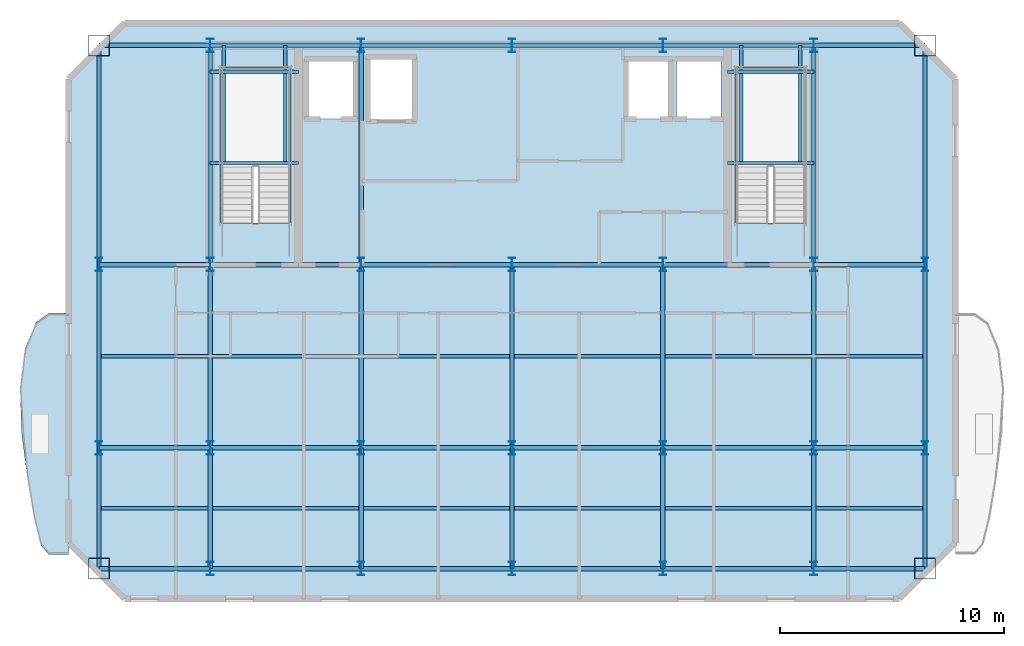
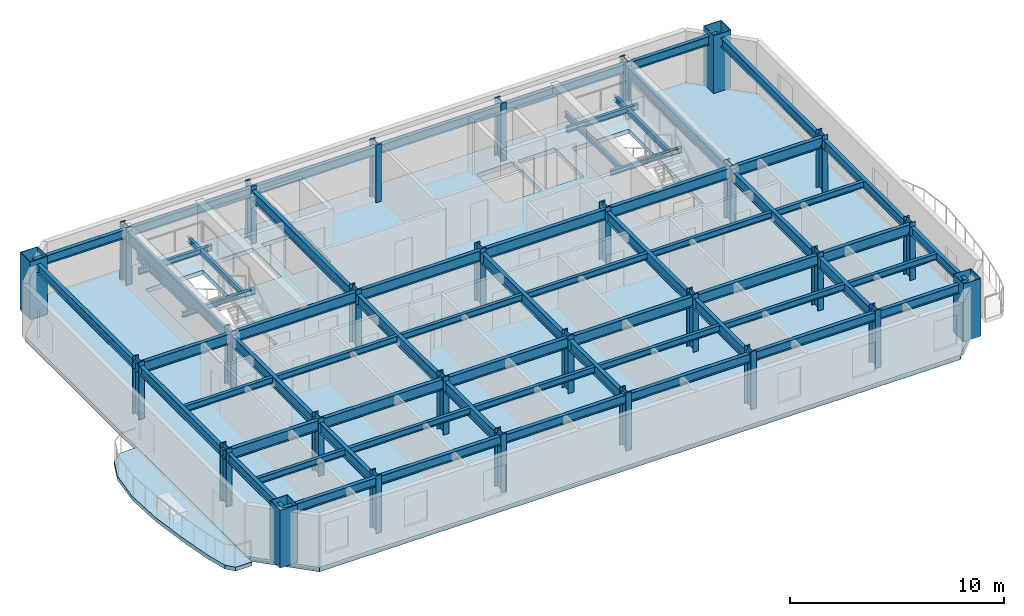
# One storey, part 1 of 6: 63 beams, 28 columns, 2 slabs.
"""IFC4 building model written with IfcOpenShell, lengths in metres."""

from ifc_helpers import new_model, si_unit, direction, frame, origin, origin_2d, place, context, subcontext, project, spatial, polyline, hollow_rectangle, i_section, outline, extrude, material, layer, layer_set, material_profile, profile_set, type_object, element, save


model = new_model("IFC4")

# Units and contexts
model_context = context("Model", 3, precision=1e-05, world=origin(), true_north=direction((0.0, 1.0)))
body_context = subcontext(model_context, "Body", "Model", "MODEL_VIEW")
ifc_project = project(units=[si_unit("LENGTHUNIT", "METRE"), si_unit("AREAUNIT", "SQUARE_METRE"), si_unit("VOLUMEUNIT", "CUBIC_METRE"), si_unit("PLANEANGLEUNIT", "RADIAN"), si_unit("MASSUNIT", "GRAM", prefix="KILO")], contexts=[model_context])

# Site, building, storey
site_placement = place(None, origin())
site = spatial("IfcSite", under=ifc_project, at=site_placement, CompositionType="ELEMENT")
building_placement = place(site_placement, origin())
building = spatial("IfcBuilding", under=site, at=building_placement, Name="Haevon Station Towers", CompositionType="ELEMENT")
storey_placement = place(building_placement, frame((0.0, 0.0, 246.0)))
storey = spatial("IfcBuildingStorey", under=building, at=storey_placement, Name="L68", CompositionType="ELEMENT", Elevation=246.0)

# Columns
ifc_material_1 = material(Name="Steel S460", Category="steel")
ifc_material_profile_1 = material_profile(ifc_material_1, hollow_rectangle(XDim=0.949951171875, YDim=0.949951171875, WallThickness=0.028076171875, at=origin_2d()), Name="BOX-950x950x28")
ifc_profile_set_1 = profile_set([ifc_material_profile_1], Name="Steel S460")
column_type_1 = type_object("IfcColumnType", Name="COL-MC6", PredefinedType="COLUMN", material=ifc_profile_set_1)
for number, where, z_axis, x_axis, name in (
    (1, (19.02490234375, 24.60009765625, 0.0), (0.0, 0.0, 1.0), (1.0, 0.0, 0.0), "COL-T1-L68-01-01"),
    (2, (19.02490234375, 48.0, 0.0), (0.0, 0.0, 1.0), (1.0, 0.0, 0.0), "COL-T1-L68-01-04"),
    (3, (55.97509765625, 24.60009765625, 0.0), (0.0, 0.0, 1.0), (1.0, 0.0, 0.0), "COL-T1-L68-07-01"),
    (4, (55.97509765625, 48.0, 0.0), (0.0, 0.0, 1.0), (1.0, 0.0, 0.0), "COL-T1-L68-07-04"),
):
    element("IfcColumn", number, at=place(storey_placement, frame(where, z_axis=z_axis, x_axis=x_axis)), inside=storey, type_object=column_type_1, Name=name, PredefinedType="COLUMN", context=body_context, shape_type="SweptSolid", body=[
        extrude(hollow_rectangle(XDim=0.949951171875, YDim=0.949951171875, WallThickness=0.028076171875, at=origin_2d()), origin(), (0.0, 0.0, 1.0), 3.300048828125),
    ])
ifc_material_2 = material(Name="Steel S355", Category="steel")
ifc_material_profile_2 = material_profile(ifc_material_2, i_section(OverallWidth=0.300048828125, OverallDepth=0.60009765625, WebThickness=0.013916015625, FlangeThickness=0.02490234375, at=origin_2d()), Name="H-600x300x14x25")
ifc_profile_set_2 = profile_set([ifc_material_profile_2], Name="Steel S355")
column_type_2 = type_object("IfcColumnType", Name="COL-TW4", PredefinedType="COLUMN", material=ifc_profile_set_2)
for number, where, z_axis, x_axis, name in (
    (5, (19.02490234375, 30.0, 0.0), (0.0, 0.0, 1.0), (1.0, 0.0, 0.0), "COL-T1-L68-01-02"),
    (6, (19.02490234375, 38.199951171875, 0.0), (0.0, 0.0, 1.0), (1.0, 0.0, 0.0), "COL-T1-L68-01-03"),
    (7, (24.0, 24.60009765625, 0.0), (0.0, 0.0, 1.0), (1.0, 0.0, 0.0), "COL-T1-L68-02-01"),
    (8, (24.0, 30.0, 0.0), (0.0, 0.0, 1.0), (1.0, 0.0, 0.0), "COL-T1-L68-02-02"),
    (9, (24.0, 38.199951171875, 0.0), (0.0, 0.0, 1.0), (1.0, 0.0, 0.0), "COL-T1-L68-02-03"),
    (10, (24.0, 48.0, 0.0), (0.0, 0.0, 1.0), (1.0, 0.0, 0.0), "COL-T1-L68-02-04"),
    (11, (30.75, 24.60009765625, 0.0), (0.0, 0.0, 1.0), (1.0, 0.0, 0.0), "COL-T1-L68-03-01"),
    (12, (30.75, 30.0, 0.0), (0.0, 0.0, 1.0), (1.0, 0.0, 0.0), "COL-T1-L68-03-02"),
    (13, (30.75, 38.199951171875, 0.0), (0.0, 0.0, 1.0), (1.0, 0.0, 0.0), "COL-T1-L68-03-03"),
    (14, (30.75, 48.0, 0.0), (0.0, 0.0, 1.0), (1.0, 0.0, 0.0), "COL-T1-L68-03-04"),
    (15, (37.5, 24.60009765625, 0.0), (0.0, 0.0, 1.0), (1.0, 0.0, 0.0), "COL-T1-L68-04-01"),
    (16, (37.5, 30.0, 0.0), (0.0, 0.0, 1.0), (1.0, 0.0, 0.0), "COL-T1-L68-04-02"),
    (17, (37.5, 38.199951171875, 0.0), (0.0, 0.0, 1.0), (1.0, 0.0, 0.0), "COL-T1-L68-04-03"),
    (18, (37.5, 48.0, 0.0), (0.0, 0.0, 1.0), (1.0, 0.0, 0.0), "COL-T1-L68-04-04"),
    (19, (44.25, 24.60009765625, 0.0), (0.0, 0.0, 1.0), (1.0, 0.0, 0.0), "COL-T1-L68-05-01"),
    (20, (44.25, 30.0, 0.0), (0.0, 0.0, 1.0), (1.0, 0.0, 0.0), "COL-T1-L68-05-02"),
    (21, (44.25, 38.199951171875, 0.0), (0.0, 0.0, 1.0), (1.0, 0.0, 0.0), "COL-T1-L68-05-03"),
    (22, (44.25, 48.0, 0.0), (0.0, 0.0, 1.0), (1.0, 0.0, 0.0), "COL-T1-L68-05-04"),
    (23, (51.0, 24.60009765625, 0.0), (0.0, 0.0, 1.0), (1.0, 0.0, 0.0), "COL-T1-L68-06-01"),
    (24, (51.0, 30.0, 0.0), (0.0, 0.0, 1.0), (1.0, 0.0, 0.0), "COL-T1-L68-06-02"),
    (25, (51.0, 38.199951171875, 0.0), (0.0, 0.0, 1.0), (1.0, 0.0, 0.0), "COL-T1-L68-06-03"),
    (26, (51.0, 48.0, 0.0), (0.0, 0.0, 1.0), (1.0, 0.0, 0.0), "COL-T1-L68-06-04"),
    (27, (55.97509765625, 30.0, 0.0), (0.0, 0.0, 1.0), (1.0, 0.0, 0.0), "COL-T1-L68-07-02"),
    (28, (55.97509765625, 38.199951171875, 0.0), (0.0, 0.0, 1.0), (1.0, 0.0, 0.0), "COL-T1-L68-07-03"),
):
    element("IfcColumn", number, at=place(storey_placement, frame(where, z_axis=z_axis, x_axis=x_axis)), inside=storey, type_object=column_type_2, Name=name, PredefinedType="COLUMN", context=body_context, shape_type="SweptSolid", body=[
        extrude(i_section(OverallWidth=0.300048828125, OverallDepth=0.60009765625, WebThickness=0.013916015625, FlangeThickness=0.02490234375, at=origin_2d()), origin(), (0.0, 0.0, 1.0), 3.300048828125),
    ])

# Beams
ifc_material_profile_3 = material_profile(ifc_material_2, i_section(OverallWidth=0.199951171875, OverallDepth=0.60009765625, WebThickness=0.010986328125, FlangeThickness=0.01708984375, at=origin_2d()), Name="H-600x200x11x17")
ifc_profile_set_3 = profile_set([ifc_material_profile_3], Name="Steel S355")
beam_type_1 = type_object("IfcBeamType", Name="BM-G600", PredefinedType="BEAM", material=ifc_profile_set_3)
beam_1_placement = place(storey_placement, frame((19.02490234375, 30.0, 2.75), z_axis=(1.0, 0.0, 0.0), x_axis=(0.0, 1.0, 0.0)))
element("IfcBeam", 29, at=beam_1_placement, inside=storey, type_object=beam_type_1, Name="BM-T1U-L68-02-01", PredefinedType="BEAM", context=body_context, shape_type="SweptSolid", body=[
    extrude(i_section(OverallWidth=0.199951171875, OverallDepth=0.60009765625, WebThickness=0.010986328125, FlangeThickness=0.01708984375, at=origin_2d()), origin(), (0.0, 0.0, 1.0), 4.97509765625),
])
for number, where, z_axis, x_axis, name in (
    (30, (24.0, 30.0, 2.75), (1.0, 0.0, 0.0), (0.0, 1.0, 0.0), "BM-T1U-L68-02-02"),
    (31, (30.75, 30.0, 2.75), (1.0, 0.0, 0.0), (0.0, 1.0, 0.0), "BM-T1U-L68-02-03"),
    (32, (37.5, 30.0, 2.75), (1.0, 0.0, 0.0), (0.0, 1.0, 0.0), "BM-T1U-L68-02-04"),
    (33, (44.25, 30.0, 2.75), (1.0, 0.0, 0.0), (0.0, 1.0, 0.0), "BM-T1U-L68-02-05"),
):
    element("IfcBeam", number, at=place(storey_placement, frame(where, z_axis=z_axis, x_axis=x_axis)), inside=storey, type_object=beam_type_1, Name=name, PredefinedType="BEAM", context=body_context, shape_type="SweptSolid", body=[
        extrude(i_section(OverallWidth=0.199951171875, OverallDepth=0.60009765625, WebThickness=0.010986328125, FlangeThickness=0.01708984375, at=origin_2d()), origin(), (0.0, 0.0, 1.0), 6.75),
    ])
for number, where, z_axis, x_axis, name in (
    (34, (51.0, 30.0, 2.75), (1.0, 0.0, 0.0), (0.0, 1.0, 0.0), "BM-T1U-L68-02-06"),
    (35, (19.02490234375, 38.199951171875, 2.75), (1.0, 0.0, 0.0), (0.0, 1.0, 0.0), "BM-T1U-L68-03-01"),
):
    element("IfcBeam", number, at=place(storey_placement, frame(where, z_axis=z_axis, x_axis=x_axis)), inside=storey, type_object=beam_type_1, Name=name, PredefinedType="BEAM", context=body_context, shape_type="SweptSolid", body=[
        extrude(i_section(OverallWidth=0.199951171875, OverallDepth=0.60009765625, WebThickness=0.010986328125, FlangeThickness=0.01708984375, at=origin_2d()), origin(), (0.0, 0.0, 1.0), 4.97509765625),
    ])
for number, where, z_axis, x_axis, name in (
    (36, (24.0, 38.199951171875, 2.75), (1.0, 0.0, 0.0), (0.0, 1.0, 0.0), "BM-T1U-L68-03-02"),
    (37, (30.75, 38.199951171875, 2.75), (1.0, 0.0, 0.0), (0.0, 1.0, 0.0), "BM-T1U-L68-03-03"),
    (38, (37.5, 38.199951171875, 2.75), (1.0, 0.0, 0.0), (0.0, 1.0, 0.0), "BM-T1U-L68-03-04"),
    (39, (44.25, 38.199951171875, 2.75), (1.0, 0.0, 0.0), (0.0, 1.0, 0.0), "BM-T1U-L68-03-05"),
):
    element("IfcBeam", number, at=place(storey_placement, frame(where, z_axis=z_axis, x_axis=x_axis)), inside=storey, type_object=beam_type_1, Name=name, PredefinedType="BEAM", context=body_context, shape_type="SweptSolid", body=[
        extrude(i_section(OverallWidth=0.199951171875, OverallDepth=0.60009765625, WebThickness=0.010986328125, FlangeThickness=0.01708984375, at=origin_2d()), origin(), (0.0, 0.0, 1.0), 6.75),
    ])
beam_2_placement = place(storey_placement, frame((51.0, 38.199951171875, 2.75), z_axis=(1.0, 0.0, 0.0), x_axis=(0.0, 1.0, 0.0)))
element("IfcBeam", 40, at=beam_2_placement, inside=storey, type_object=beam_type_1, Name="BM-T1U-L68-03-06", PredefinedType="BEAM", context=body_context, shape_type="SweptSolid", body=[
    extrude(i_section(OverallWidth=0.199951171875, OverallDepth=0.60009765625, WebThickness=0.010986328125, FlangeThickness=0.01708984375, at=origin_2d()), origin(), (0.0, 0.0, 1.0), 4.97509765625),
])
beam_3_placement = place(storey_placement, frame((24.0, 24.60009765625, 2.75), z_axis=(0.0, 1.0, 0.0), x_axis=(-1.0, 0.0, 0.0)))
element("IfcBeam", 41, at=beam_3_placement, inside=storey, type_object=beam_type_1, Name="BM-T1V-L68-02-01", PredefinedType="BEAM", context=body_context, shape_type="SweptSolid", body=[
    extrude(i_section(OverallWidth=0.199951171875, OverallDepth=0.60009765625, WebThickness=0.010986328125, FlangeThickness=0.01708984375, at=origin_2d()), origin(), (0.0, 0.0, 1.0), 5.39990234375),
])
beam_4_placement = place(storey_placement, frame((24.0, 30.0, 2.75), z_axis=(0.0, 1.0, 0.0), x_axis=(-1.0, 0.0, 0.0)))
element("IfcBeam", 42, at=beam_4_placement, inside=storey, type_object=beam_type_1, Name="BM-T1V-L68-02-02", PredefinedType="BEAM", context=body_context, shape_type="SweptSolid", body=[
    extrude(i_section(OverallWidth=0.199951171875, OverallDepth=0.60009765625, WebThickness=0.010986328125, FlangeThickness=0.01708984375, at=origin_2d()), origin(), (0.0, 0.0, 1.0), 8.199951171875),
])
beam_5_placement = place(storey_placement, frame((24.0, 38.199951171875, 2.75), z_axis=(0.0, 1.0, 0.0), x_axis=(-1.0, 0.0, 0.0)))
element("IfcBeam", 43, at=beam_5_placement, inside=storey, type_object=beam_type_1, Name="BM-T1V-L68-02-03", PredefinedType="BEAM", context=body_context, shape_type="SweptSolid", body=[
    extrude(i_section(OverallWidth=0.199951171875, OverallDepth=0.60009765625, WebThickness=0.010986328125, FlangeThickness=0.01708984375, at=origin_2d()), origin(), (0.0, 0.0, 1.0), 9.800048828125),
])
beam_6_placement = place(storey_placement, frame((30.75, 24.60009765625, 2.75), z_axis=(0.0, 1.0, 0.0), x_axis=(-1.0, 0.0, 0.0)))
element("IfcBeam", 44, at=beam_6_placement, inside=storey, type_object=beam_type_1, Name="BM-T1V-L68-03-01", PredefinedType="BEAM", context=body_context, shape_type="SweptSolid", body=[
    extrude(i_section(OverallWidth=0.199951171875, OverallDepth=0.60009765625, WebThickness=0.010986328125, FlangeThickness=0.01708984375, at=origin_2d()), origin(), (0.0, 0.0, 1.0), 5.39990234375),
])
beam_7_placement = place(storey_placement, frame((30.75, 30.0, 2.75), z_axis=(0.0, 1.0, 0.0), x_axis=(-1.0, 0.0, 0.0)))
element("IfcBeam", 45, at=beam_7_placement, inside=storey, type_object=beam_type_1, Name="BM-T1V-L68-03-02", PredefinedType="BEAM", context=body_context, shape_type="SweptSolid", body=[
    extrude(i_section(OverallWidth=0.199951171875, OverallDepth=0.60009765625, WebThickness=0.010986328125, FlangeThickness=0.01708984375, at=origin_2d()), origin(), (0.0, 0.0, 1.0), 8.199951171875),
])
beam_8_placement = place(storey_placement, frame((30.75, 38.199951171875, 2.75), z_axis=(0.0, 1.0, 0.0), x_axis=(-1.0, 0.0, 0.0)))
element("IfcBeam", 46, at=beam_8_placement, inside=storey, type_object=beam_type_1, Name="BM-T1V-L68-03-03", PredefinedType="BEAM", context=body_context, shape_type="SweptSolid", body=[
    extrude(i_section(OverallWidth=0.199951171875, OverallDepth=0.60009765625, WebThickness=0.010986328125, FlangeThickness=0.01708984375, at=origin_2d()), origin(), (0.0, 0.0, 1.0), 9.800048828125),
])
beam_9_placement = place(storey_placement, frame((37.5, 24.60009765625, 2.75), z_axis=(0.0, 1.0, 0.0), x_axis=(-1.0, 0.0, 0.0)))
element("IfcBeam", 47, at=beam_9_placement, inside=storey, type_object=beam_type_1, Name="BM-T1V-L68-04-01", PredefinedType="BEAM", context=body_context, shape_type="SweptSolid", body=[
    extrude(i_section(OverallWidth=0.199951171875, OverallDepth=0.60009765625, WebThickness=0.010986328125, FlangeThickness=0.01708984375, at=origin_2d()), origin(), (0.0, 0.0, 1.0), 5.39990234375),
])
beam_10_placement = place(storey_placement, frame((37.5, 30.0, 2.75), z_axis=(0.0, 1.0, 0.0), x_axis=(-1.0, 0.0, 0.0)))
element("IfcBeam", 48, at=beam_10_placement, inside=storey, type_object=beam_type_1, Name="BM-T1V-L68-04-02", PredefinedType="BEAM", context=body_context, shape_type="SweptSolid", body=[
    extrude(i_section(OverallWidth=0.199951171875, OverallDepth=0.60009765625, WebThickness=0.010986328125, FlangeThickness=0.01708984375, at=origin_2d()), origin(), (0.0, 0.0, 1.0), 8.199951171875),
])
beam_11_placement = place(storey_placement, frame((44.25, 24.60009765625, 2.75), z_axis=(0.0, 1.0, 0.0), x_axis=(-1.0, 0.0, 0.0)))
element("IfcBeam", 49, at=beam_11_placement, inside=storey, type_object=beam_type_1, Name="BM-T1V-L68-05-01", PredefinedType="BEAM", context=body_context, shape_type="SweptSolid", body=[
    extrude(i_section(OverallWidth=0.199951171875, OverallDepth=0.60009765625, WebThickness=0.010986328125, FlangeThickness=0.01708984375, at=origin_2d()), origin(), (0.0, 0.0, 1.0), 5.39990234375),
])
beam_12_placement = place(storey_placement, frame((44.25, 30.0, 2.75), z_axis=(0.0, 1.0, 0.0), x_axis=(-1.0, 0.0, 0.0)))
element("IfcBeam", 50, at=beam_12_placement, inside=storey, type_object=beam_type_1, Name="BM-T1V-L68-05-02", PredefinedType="BEAM", context=body_context, shape_type="SweptSolid", body=[
    extrude(i_section(OverallWidth=0.199951171875, OverallDepth=0.60009765625, WebThickness=0.010986328125, FlangeThickness=0.01708984375, at=origin_2d()), origin(), (0.0, 0.0, 1.0), 8.199951171875),
])
beam_13_placement = place(storey_placement, frame((51.0, 24.60009765625, 2.75), z_axis=(0.0, 1.0, 0.0), x_axis=(-1.0, 0.0, 0.0)))
element("IfcBeam", 51, at=beam_13_placement, inside=storey, type_object=beam_type_1, Name="BM-T1V-L68-06-01", PredefinedType="BEAM", context=body_context, shape_type="SweptSolid", body=[
    extrude(i_section(OverallWidth=0.199951171875, OverallDepth=0.60009765625, WebThickness=0.010986328125, FlangeThickness=0.01708984375, at=origin_2d()), origin(), (0.0, 0.0, 1.0), 5.39990234375),
])
beam_14_placement = place(storey_placement, frame((51.0, 30.0, 2.75), z_axis=(0.0, 1.0, 0.0), x_axis=(-1.0, 0.0, 0.0)))
element("IfcBeam", 52, at=beam_14_placement, inside=storey, type_object=beam_type_1, Name="BM-T1V-L68-06-02", PredefinedType="BEAM", context=body_context, shape_type="SweptSolid", body=[
    extrude(i_section(OverallWidth=0.199951171875, OverallDepth=0.60009765625, WebThickness=0.010986328125, FlangeThickness=0.01708984375, at=origin_2d()), origin(), (0.0, 0.0, 1.0), 8.199951171875),
])
beam_15_placement = place(storey_placement, frame((51.0, 38.199951171875, 2.75), z_axis=(0.0, 1.0, 0.0), x_axis=(-1.0, 0.0, 0.0)))
element("IfcBeam", 53, at=beam_15_placement, inside=storey, type_object=beam_type_1, Name="BM-T1V-L68-06-03", PredefinedType="BEAM", context=body_context, shape_type="SweptSolid", body=[
    extrude(i_section(OverallWidth=0.199951171875, OverallDepth=0.60009765625, WebThickness=0.010986328125, FlangeThickness=0.01708984375, at=origin_2d()), origin(), (0.0, 0.0, 1.0), 9.800048828125),
])
ifc_material_profile_4 = material_profile(ifc_material_2, i_section(OverallWidth=0.175048828125, OverallDepth=0.35009765625, WebThickness=0.007080078125, FlangeThickness=0.010986328125, at=origin_2d()), Name="H-350x175x7x11")
ifc_profile_set_4 = profile_set([ifc_material_profile_4], Name="Steel S355")
beam_type_2 = type_object("IfcBeamType", Name="BM-J350", PredefinedType="JOIST", material=ifc_profile_set_4)
beam_16_placement = place(storey_placement, frame((19.135009765625, 27.300048828125, 2.875), z_axis=(1.0, 0.0, 0.0), x_axis=(0.0, 1.0, 0.0)))
element("IfcBeam", 54, at=beam_16_placement, inside=storey, type_object=beam_type_2, Name="BM-T1J-L68-01-01", PredefinedType="JOIST", context=body_context, shape_type="SweptSolid", body=[
    extrude(i_section(OverallWidth=0.175048828125, OverallDepth=0.35009765625, WebThickness=0.007080078125, FlangeThickness=0.010986328125, at=origin_2d()), origin(), (0.0, 0.0, 1.0), 4.7548828125),
])
for number, where, z_axis, x_axis, name in (
    (55, (24.110107421875, 27.300048828125, 2.875), (1.0, 0.0, 0.0), (0.0, 1.0, 0.0), "BM-T1J-L68-01-02"),
    (56, (30.860107421875, 27.300048828125, 2.875), (1.0, 0.0, 0.0), (0.0, 1.0, 0.0), "BM-T1J-L68-01-03"),
    (57, (37.610107421875, 27.300048828125, 2.875), (1.0, 0.0, 0.0), (0.0, 1.0, 0.0), "BM-T1J-L68-01-04"),
    (58, (44.360107421875, 27.300048828125, 2.875), (1.0, 0.0, 0.0), (0.0, 1.0, 0.0), "BM-T1J-L68-01-05"),
):
    element("IfcBeam", number, at=place(storey_placement, frame(where, z_axis=z_axis, x_axis=x_axis)), inside=storey, type_object=beam_type_2, Name=name, PredefinedType="JOIST", context=body_context, shape_type="SweptSolid", body=[
        extrude(i_section(OverallWidth=0.175048828125, OverallDepth=0.35009765625, WebThickness=0.007080078125, FlangeThickness=0.010986328125, at=origin_2d()), origin(), (0.0, 0.0, 1.0), 6.52978515625),
    ])
for number, where, z_axis, x_axis, name in (
    (59, (51.110107421875, 27.300048828125, 2.875), (1.0, 0.0, 0.0), (0.0, 1.0, 0.0), "BM-T1J-L68-01-06"),
    (60, (19.135009765625, 34.10009765625, 2.875), (1.0, 0.0, 0.0), (0.0, 1.0, 0.0), "BM-T1J-L68-02-01"),
):
    element("IfcBeam", number, at=place(storey_placement, frame(where, z_axis=z_axis, x_axis=x_axis)), inside=storey, type_object=beam_type_2, Name=name, PredefinedType="JOIST", context=body_context, shape_type="SweptSolid", body=[
        extrude(i_section(OverallWidth=0.175048828125, OverallDepth=0.35009765625, WebThickness=0.007080078125, FlangeThickness=0.010986328125, at=origin_2d()), origin(), (0.0, 0.0, 1.0), 4.7548828125),
    ])
for number, where, z_axis, x_axis, name in (
    (61, (24.110107421875, 34.10009765625, 2.875), (1.0, 0.0, 0.0), (0.0, 1.0, 0.0), "BM-T1J-L68-02-02"),
    (62, (30.860107421875, 34.10009765625, 2.875), (1.0, 0.0, 0.0), (0.0, 1.0, 0.0), "BM-T1J-L68-02-03"),
    (63, (37.610107421875, 34.10009765625, 2.875), (1.0, 0.0, 0.0), (0.0, 1.0, 0.0), "BM-T1J-L68-02-04"),
    (64, (44.360107421875, 34.10009765625, 2.875), (1.0, 0.0, 0.0), (0.0, 1.0, 0.0), "BM-T1J-L68-02-05"),
):
    element("IfcBeam", number, at=place(storey_placement, frame(where, z_axis=z_axis, x_axis=x_axis)), inside=storey, type_object=beam_type_2, Name=name, PredefinedType="JOIST", context=body_context, shape_type="SweptSolid", body=[
        extrude(i_section(OverallWidth=0.175048828125, OverallDepth=0.35009765625, WebThickness=0.007080078125, FlangeThickness=0.010986328125, at=origin_2d()), origin(), (0.0, 0.0, 1.0), 6.52978515625),
    ])
beam_17_placement = place(storey_placement, frame((51.110107421875, 34.10009765625, 2.875), z_axis=(1.0, 0.0, 0.0), x_axis=(0.0, 1.0, 0.0)))
element("IfcBeam", 65, at=beam_17_placement, inside=storey, type_object=beam_type_2, Name="BM-T1J-L68-02-06", PredefinedType="JOIST", context=body_context, shape_type="SweptSolid", body=[
    extrude(i_section(OverallWidth=0.175048828125, OverallDepth=0.35009765625, WebThickness=0.007080078125, FlangeThickness=0.010986328125, at=origin_2d()), origin(), (0.0, 0.0, 1.0), 4.7548828125),
])
ifc_material_profile_5 = material_profile(ifc_material_2, i_section(OverallWidth=0.14990234375, OverallDepth=0.300048828125, WebThickness=0.006591796875, FlangeThickness=0.009033203125, at=origin_2d()), Name="H-300x150x6.5x9")
ifc_profile_set_5 = profile_set([ifc_material_profile_5], Name="Steel S355")
beam_type_3 = type_object("IfcBeamType", Name="BM-LIN300", PredefinedType="LINTEL", material=ifc_profile_set_5)
for number, where, z_axis, x_axis, name in (
    (66, (24.0, 42.743896484375, 1.300048828125), (1.0, 0.0, 0.0), (0.0, 1.0, 0.0), "BM-ST1L-L68-1-S"),
    (67, (24.0, 46.820068359375, 1.300048828125), (1.0, 0.0, 0.0), (0.0, 1.0, 0.0), "BM-ST1L-L68-1-N"),
):
    element("IfcBeam", number, at=place(storey_placement, frame(where, z_axis=z_axis, x_axis=x_axis)), inside=storey, type_object=beam_type_3, Name=name, PredefinedType="LINTEL", context=body_context, shape_type="SweptSolid", body=[
        extrude(i_section(OverallWidth=0.14990234375, OverallDepth=0.300048828125, WebThickness=0.006591796875, FlangeThickness=0.009033203125, at=origin_2d()), origin(), (0.0, 0.0, 1.0), 3.949951171875),
    ])
for number, where, z_axis, x_axis, name in (
    (68, (24.60009765625, 42.743896484375, 1.300048828125), (0.0, 1.0, 0.0), (-1.0, 0.0, 0.0), "BM-ST1L-L68-1-W"),
    (69, (27.35009765625, 42.743896484375, 1.300048828125), (0.0, 1.0, 0.0), (-1.0, 0.0, 0.0), "BM-ST1L-L68-1-E"),
):
    element("IfcBeam", number, at=place(storey_placement, frame(where, z_axis=z_axis, x_axis=x_axis)), inside=storey, type_object=beam_type_3, Name=name, PredefinedType="LINTEL", context=body_context, shape_type="SweptSolid", body=[
        extrude(i_section(OverallWidth=0.14990234375, OverallDepth=0.300048828125, WebThickness=0.006591796875, FlangeThickness=0.009033203125, at=origin_2d()), origin(), (0.0, 0.0, 1.0), 5.256103515625),
    ])
for number, where, z_axis, x_axis, name in (
    (70, (47.14990234375, 42.743896484375, 1.300048828125), (1.0, 0.0, 0.0), (0.0, 1.0, 0.0), "BM-ST2L-L68-1-S"),
    (71, (47.14990234375, 46.820068359375, 1.300048828125), (1.0, 0.0, 0.0), (0.0, 1.0, 0.0), "BM-ST2L-L68-1-N"),
):
    element("IfcBeam", number, at=place(storey_placement, frame(where, z_axis=z_axis, x_axis=x_axis)), inside=storey, type_object=beam_type_3, Name=name, PredefinedType="LINTEL", context=body_context, shape_type="SweptSolid", body=[
        extrude(i_section(OverallWidth=0.14990234375, OverallDepth=0.300048828125, WebThickness=0.006591796875, FlangeThickness=0.009033203125, at=origin_2d()), origin(), (0.0, 0.0, 1.0), 3.85009765625),
    ])
for number, where, z_axis, x_axis, name in (
    (72, (47.75, 42.743896484375, 1.300048828125), (0.0, 1.0, 0.0), (-1.0, 0.0, 0.0), "BM-ST2L-L68-1-W"),
    (73, (50.39990234375, 42.743896484375, 1.300048828125), (0.0, 1.0, 0.0), (-1.0, 0.0, 0.0), "BM-ST2L-L68-1-E"),
):
    element("IfcBeam", number, at=place(storey_placement, frame(where, z_axis=z_axis, x_axis=x_axis)), inside=storey, type_object=beam_type_3, Name=name, PredefinedType="LINTEL", context=body_context, shape_type="SweptSolid", body=[
        extrude(i_section(OverallWidth=0.14990234375, OverallDepth=0.300048828125, WebThickness=0.006591796875, FlangeThickness=0.009033203125, at=origin_2d()), origin(), (0.0, 0.0, 1.0), 5.256103515625),
    ])
ifc_material_profile_6 = material_profile(ifc_material_2, i_section(OverallWidth=0.199951171875, OverallDepth=0.5, WebThickness=0.010009765625, FlangeThickness=0.01611328125, at=origin_2d()), Name="H-500x200x10x16")
ifc_profile_set_6 = profile_set([ifc_material_profile_6], Name="Steel S355")
beam_type_4 = type_object("IfcBeamType", Name="BM-SP500", PredefinedType="SPANDREL", material=ifc_profile_set_6)
beam_18_placement = place(storey_placement, frame((19.02490234375, 24.60009765625, 2.800048828125), z_axis=(1.0, 0.0, 0.0), x_axis=(0.0, 1.0, 0.0)))
element("IfcBeam", 74, at=beam_18_placement, inside=storey, type_object=beam_type_4, Name="BM-T1U-L68-01-01", PredefinedType="SPANDREL", context=body_context, shape_type="SweptSolid", body=[
    extrude(i_section(OverallWidth=0.199951171875, OverallDepth=0.5, WebThickness=0.010009765625, FlangeThickness=0.01611328125, at=origin_2d()), origin(), (0.0, 0.0, 1.0), 4.97509765625),
])
for number, where, z_axis, x_axis, name in (
    (75, (24.0, 24.60009765625, 2.800048828125), (1.0, 0.0, 0.0), (0.0, 1.0, 0.0), "BM-T1U-L68-01-02"),
    (76, (30.75, 24.60009765625, 2.800048828125), (1.0, 0.0, 0.0), (0.0, 1.0, 0.0), "BM-T1U-L68-01-03"),
    (77, (37.5, 24.60009765625, 2.800048828125), (1.0, 0.0, 0.0), (0.0, 1.0, 0.0), "BM-T1U-L68-01-04"),
    (78, (44.25, 24.60009765625, 2.800048828125), (1.0, 0.0, 0.0), (0.0, 1.0, 0.0), "BM-T1U-L68-01-05"),
):
    element("IfcBeam", number, at=place(storey_placement, frame(where, z_axis=z_axis, x_axis=x_axis)), inside=storey, type_object=beam_type_4, Name=name, PredefinedType="SPANDREL", context=body_context, shape_type="SweptSolid", body=[
        extrude(i_section(OverallWidth=0.199951171875, OverallDepth=0.5, WebThickness=0.010009765625, FlangeThickness=0.01611328125, at=origin_2d()), origin(), (0.0, 0.0, 1.0), 6.75),
    ])
for number, where, z_axis, x_axis, name in (
    (79, (51.0, 24.60009765625, 2.800048828125), (1.0, 0.0, 0.0), (0.0, 1.0, 0.0), "BM-T1U-L68-01-06"),
    (80, (19.02490234375, 48.0, 2.800048828125), (1.0, 0.0, 0.0), (0.0, 1.0, 0.0), "BM-T1U-L68-04-01"),
):
    element("IfcBeam", number, at=place(storey_placement, frame(where, z_axis=z_axis, x_axis=x_axis)), inside=storey, type_object=beam_type_4, Name=name, PredefinedType="SPANDREL", context=body_context, shape_type="SweptSolid", body=[
        extrude(i_section(OverallWidth=0.199951171875, OverallDepth=0.5, WebThickness=0.010009765625, FlangeThickness=0.01611328125, at=origin_2d()), origin(), (0.0, 0.0, 1.0), 4.97509765625),
    ])
for number, where, z_axis, x_axis, name in (
    (81, (24.0, 48.0, 2.800048828125), (1.0, 0.0, 0.0), (0.0, 1.0, 0.0), "BM-T1U-L68-04-02"),
    (82, (30.75, 48.0, 2.800048828125), (1.0, 0.0, 0.0), (0.0, 1.0, 0.0), "BM-T1U-L68-04-03"),
    (83, (37.5, 48.0, 2.800048828125), (1.0, 0.0, 0.0), (0.0, 1.0, 0.0), "BM-T1U-L68-04-04"),
    (84, (44.25, 48.0, 2.800048828125), (1.0, 0.0, 0.0), (0.0, 1.0, 0.0), "BM-T1U-L68-04-05"),
):
    element("IfcBeam", number, at=place(storey_placement, frame(where, z_axis=z_axis, x_axis=x_axis)), inside=storey, type_object=beam_type_4, Name=name, PredefinedType="SPANDREL", context=body_context, shape_type="SweptSolid", body=[
        extrude(i_section(OverallWidth=0.199951171875, OverallDepth=0.5, WebThickness=0.010009765625, FlangeThickness=0.01611328125, at=origin_2d()), origin(), (0.0, 0.0, 1.0), 6.75),
    ])
beam_19_placement = place(storey_placement, frame((51.0, 48.0, 2.800048828125), z_axis=(1.0, 0.0, 0.0), x_axis=(0.0, 1.0, 0.0)))
element("IfcBeam", 85, at=beam_19_placement, inside=storey, type_object=beam_type_4, Name="BM-T1U-L68-04-06", PredefinedType="SPANDREL", context=body_context, shape_type="SweptSolid", body=[
    extrude(i_section(OverallWidth=0.199951171875, OverallDepth=0.5, WebThickness=0.010009765625, FlangeThickness=0.01611328125, at=origin_2d()), origin(), (0.0, 0.0, 1.0), 4.97509765625),
])
beam_20_placement = place(storey_placement, frame((19.02490234375, 24.60009765625, 2.800048828125), z_axis=(0.0, 1.0, 0.0), x_axis=(-1.0, 0.0, 0.0)))
element("IfcBeam", 86, at=beam_20_placement, inside=storey, type_object=beam_type_4, Name="BM-T1V-L68-01-01", PredefinedType="SPANDREL", context=body_context, shape_type="SweptSolid", body=[
    extrude(i_section(OverallWidth=0.199951171875, OverallDepth=0.5, WebThickness=0.010009765625, FlangeThickness=0.01611328125, at=origin_2d()), origin(), (0.0, 0.0, 1.0), 5.39990234375),
])
beam_21_placement = place(storey_placement, frame((19.02490234375, 30.0, 2.800048828125), z_axis=(0.0, 1.0, 0.0), x_axis=(-1.0, 0.0, 0.0)))
element("IfcBeam", 87, at=beam_21_placement, inside=storey, type_object=beam_type_4, Name="BM-T1V-L68-01-02", PredefinedType="SPANDREL", context=body_context, shape_type="SweptSolid", body=[
    extrude(i_section(OverallWidth=0.199951171875, OverallDepth=0.5, WebThickness=0.010009765625, FlangeThickness=0.01611328125, at=origin_2d()), origin(), (0.0, 0.0, 1.0), 8.199951171875),
])
beam_22_placement = place(storey_placement, frame((19.02490234375, 38.199951171875, 2.800048828125), z_axis=(0.0, 1.0, 0.0), x_axis=(-1.0, 0.0, 0.0)))
element("IfcBeam", 88, at=beam_22_placement, inside=storey, type_object=beam_type_4, Name="BM-T1V-L68-01-03", PredefinedType="SPANDREL", context=body_context, shape_type="SweptSolid", body=[
    extrude(i_section(OverallWidth=0.199951171875, OverallDepth=0.5, WebThickness=0.010009765625, FlangeThickness=0.01611328125, at=origin_2d()), origin(), (0.0, 0.0, 1.0), 9.800048828125),
])
beam_23_placement = place(storey_placement, frame((55.97509765625, 24.60009765625, 2.800048828125), z_axis=(0.0, 1.0, 0.0), x_axis=(-1.0, 0.0, 0.0)))
element("IfcBeam", 89, at=beam_23_placement, inside=storey, type_object=beam_type_4, Name="BM-T1V-L68-07-01", PredefinedType="SPANDREL", context=body_context, shape_type="SweptSolid", body=[
    extrude(i_section(OverallWidth=0.199951171875, OverallDepth=0.5, WebThickness=0.010009765625, FlangeThickness=0.01611328125, at=origin_2d()), origin(), (0.0, 0.0, 1.0), 5.39990234375),
])
beam_24_placement = place(storey_placement, frame((55.97509765625, 30.0, 2.800048828125), z_axis=(0.0, 1.0, 0.0), x_axis=(-1.0, 0.0, 0.0)))
element("IfcBeam", 90, at=beam_24_placement, inside=storey, type_object=beam_type_4, Name="BM-T1V-L68-07-02", PredefinedType="SPANDREL", context=body_context, shape_type="SweptSolid", body=[
    extrude(i_section(OverallWidth=0.199951171875, OverallDepth=0.5, WebThickness=0.010009765625, FlangeThickness=0.01611328125, at=origin_2d()), origin(), (0.0, 0.0, 1.0), 8.199951171875),
])
beam_25_placement = place(storey_placement, frame((55.97509765625, 38.199951171875, 2.800048828125), z_axis=(0.0, 1.0, 0.0), x_axis=(-1.0, 0.0, 0.0)))
element("IfcBeam", 91, at=beam_25_placement, inside=storey, type_object=beam_type_4, Name="BM-T1V-L68-07-03", PredefinedType="SPANDREL", context=body_context, shape_type="SweptSolid", body=[
    extrude(i_section(OverallWidth=0.199951171875, OverallDepth=0.5, WebThickness=0.010009765625, FlangeThickness=0.01611328125, at=origin_2d()), origin(), (0.0, 0.0, 1.0), 9.800048828125),
])

# Slabs
ifc_material_3 = material(Name="Concrete C40/50", Category="concrete")
ifc_layer_1 = layer(ifc_material_3, 0.219970703125)
ifc_layer_set_1 = layer_set([ifc_layer_1], Name="Concrete C40/50")
slab_type_1 = type_object("IfcSlabType", Name="SL-BALC220", PredefinedType="FLOOR", material=ifc_layer_set_1)
slab_1_placement = place(storey_placement, frame((0.0, 0.0, -0.219970703125)))
element("IfcSlab", 92, at=slab_1_placement, inside=storey, type_object=slab_type_1, Name="Tower 1 L68 West SCALLOPED BALCONY", PredefinedType="FLOOR", context=body_context, shape_type="SweptSolid", body=[
    extrude(outline(polyline([(17.669921875, 36.02490234375), (16.7880859375, 36.02490234375), (16.206787109375, 35.614013671875), (15.716064453125, 34.443359375), (15.4912109375, 32.69140625), (15.570068359375, 30.625), (15.834228515625, 28.55859375), (16.137451171875, 26.806640625), (16.43701171875, 25.635986328125), (16.7880859375, 25.22509765625), (17.669921875, 25.22509765625), (17.669921875, 36.02490234375)])), origin(), (0.0, 0.0, 1.0), 0.219970703125),
])
ifc_layer_2 = layer(ifc_material_3, 0.25)
ifc_layer_set_2 = layer_set([ifc_layer_2], Name="Concrete C40/50")
slab_type_2 = type_object("IfcSlabType", Name="SL-TW250", PredefinedType="FLOOR", material=ifc_layer_set_2)
slab_2_placement = place(storey_placement, frame((0.0, 0.0, -0.25)))
element("IfcSlab", 93, at=slab_2_placement, inside=storey, type_object=slab_type_2, Name="SL-T1-L68", PredefinedType="FLOOR", context=body_context, shape_type="SweptSolid", body=[
    extrude(outline(polyline([(20.175048828125, 23.25), (54.824951171875, 23.25), (57.324951171875, 25.75), (57.324951171875, 46.5), (54.824951171875, 49.0), (20.175048828125, 49.0), (17.675048828125, 46.5), (17.675048828125, 25.75), (20.175048828125, 23.25)]), holes=[polyline([(27.580078125, 40.055908203125), (27.580078125, 47.0), (24.47998046875, 47.0), (24.47998046875, 40.055908203125), (27.580078125, 40.055908203125)]), polyline([(50.6201171875, 40.055908203125), (50.6201171875, 47.0), (47.52001953125, 47.0), (47.52001953125, 40.055908203125), (50.6201171875, 40.055908203125)]), polyline([(28.300048828125, 44.699951171875), (30.5, 44.699951171875), (30.5, 47.39990234375), (28.300048828125, 47.39990234375), (28.300048828125, 44.699951171875)]), polyline([(31.050048828125, 44.60009765625), (33.14990234375, 44.60009765625), (33.14990234375, 47.5), (31.050048828125, 47.5), (31.050048828125, 44.60009765625)]), polyline([(42.60009765625, 44.699951171875), (44.60009765625, 44.699951171875), (44.60009765625, 47.39990234375), (42.60009765625, 47.39990234375), (42.60009765625, 44.699951171875)]), polyline([(44.85009765625, 44.699951171875), (46.85009765625, 44.699951171875), (46.85009765625, 47.39990234375), (44.85009765625, 47.39990234375), (44.85009765625, 44.699951171875)])]), origin(), (0.0, 0.0, 1.0), 0.25),
])

save(model, "model.ifc")
